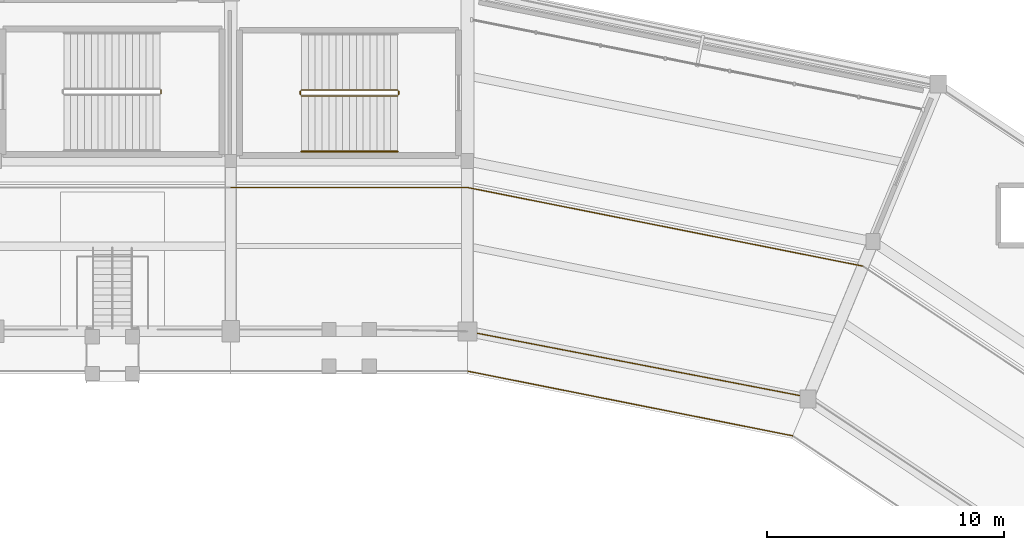
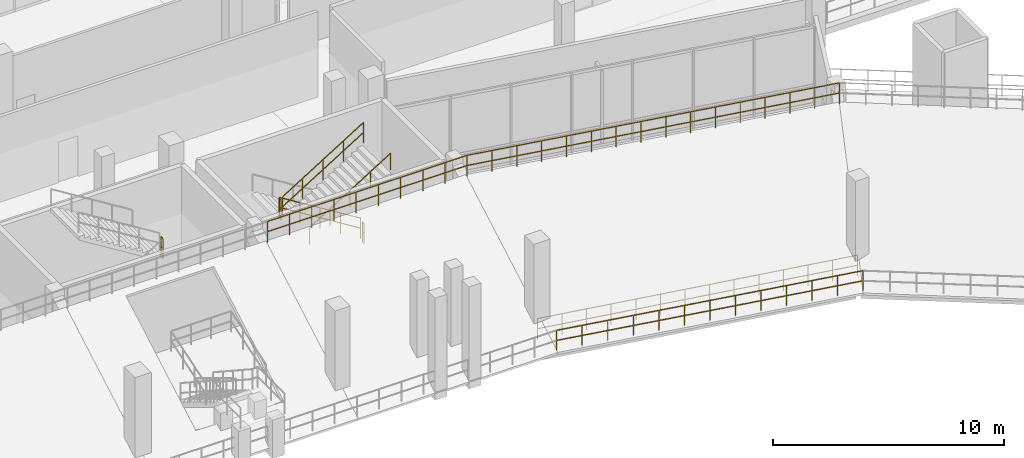
# One storey, part 125 of 127: 10 railings.
"""IFC4 building model written with IfcOpenShell, lengths in metres."""

import ifcopenshell
import ifcopenshell.guid

model = None  # the IFC model being written
_history = None  # IfcOwnerHistory: only IFC2X3 demands one
_inside = {}  # id of a spatial element -> (the spatial element, [elements in it])
_under = {}  # id of a project, library or spatial element -> (it, [spatial elements below it])
_declared = {}  # id of a project -> (the project, [libraries it declares])
_typed = {}  # id of a type object -> (the type object, [elements of that type])
_made_of = {}  # id of a material, layer set ... -> (it, [elements and type objects made of it])


def new_model(schema):
    """Start an empty IFC model of exactly this schema.

    Asked for "IFC4X3", IfcOpenShell would pick the latest addendum, in which some entities
    have other attributes; the version numbers below select the first issue.
    IFC2X3 requires an IfcOwnerHistory on every rooted entity: one is made here for all.
    """
    global model, _history
    if schema == "IFC4X3":
        model = ifcopenshell.file(schema_version=(4, 3, 0, 0))
    else:
        model = ifcopenshell.file(schema=schema)
    _inside.clear()
    _under.clear()
    _declared.clear()
    _typed.clear()
    _made_of.clear()
    _history = None
    if model.schema == "IFC2X3":
        org = make("IfcOrganization", Name="unknown")
        user = make(
            "IfcPersonAndOrganization",
            ThePerson=make("IfcPerson", FamilyName="unknown"),
            TheOrganization=org,
        )
        app = make(
            "IfcApplication",
            ApplicationDeveloper=org,
            Version="unknown",
            ApplicationFullName="unknown",
            ApplicationIdentifier="unknown",
        )
        _history = make(
            "IfcOwnerHistory",
            OwningUser=user,
            OwningApplication=app,
            ChangeAction="ADDED",
            CreationDate=0,
        )
    return model


def make(cls, **values):
    """One entity of the class cls with the attributes given. An attribute that is None is left unset."""
    return model.create_entity(
        cls, **{name: value for name, value in values.items() if value is not None}
    )


def rooted(cls, **values):
    """An entity with a GlobalId (a new one), such as an element, a storey or a relation."""
    return make(cls, GlobalId=ifcopenshell.guid.new(), OwnerHistory=_history, **values)


def si_unit(unit_type, name, prefix=None):
    """IfcSIUnit, for example si_unit("LENGTHUNIT", "METRE", prefix="MILLI")."""
    return make("IfcSIUnit", UnitType=unit_type, Prefix=prefix, Name=name)


def assignment(units):
    """IfcUnitAssignment: the units of a project."""
    return None if units is None else make("IfcUnitAssignment", Units=units)


def point(xyz):
    """IfcCartesianPoint."""
    return None if xyz is None else make("IfcCartesianPoint", Coordinates=xyz)


def direction(xyz):
    """IfcDirection."""
    return None if xyz is None else make("IfcDirection", DirectionRatios=xyz)


def frame(location, z_axis=None, x_axis=None):
    """IfcAxis2Placement3D, a coordinate frame: its origin and axes. An axis left out is left unset."""
    return make(
        "IfcAxis2Placement3D",
        Location=point(location),
        Axis=direction(z_axis),
        RefDirection=direction(x_axis),
    )


def frame_2d(location, x_axis=None):
    """IfcAxis2Placement2D, a coordinate frame in the plane: its origin and x axis."""
    return make(
        "IfcAxis2Placement2D", Location=point(location), RefDirection=direction(x_axis)
    )


def origin():
    """The frame at (0, 0, 0) with its axes left unset."""
    return frame((0.0, 0.0, 0.0))


def origin_2d():
    """The frame at (0, 0) in the plane with its x axis left unset."""
    return frame_2d((0.0, 0.0))


def place(relative_to, where):
    """IfcLocalPlacement: puts the frame where relative to a parent placement (None: the world)."""
    return make(
        "IfcLocalPlacement", PlacementRelTo=relative_to, RelativePlacement=where
    )


def context(
    kind, dimensions, precision=None, world=None, true_north=None, identifier=None
):
    """IfcGeometricRepresentationContext, for example the 3D "Model" context."""
    return make(
        "IfcGeometricRepresentationContext",
        ContextIdentifier=identifier,
        ContextType=kind,
        CoordinateSpaceDimension=dimensions,
        Precision=precision,
        WorldCoordinateSystem=world,
        TrueNorth=true_north,
    )


def subcontext(parent, identifier, kind, view, scale=None):
    """IfcGeometricRepresentationSubContext, for example "Body" below "Model"."""
    return make(
        "IfcGeometricRepresentationSubContext",
        ContextIdentifier=identifier,
        ContextType=kind,
        ParentContext=parent,
        TargetScale=scale,
        TargetView=view,
    )


def project(units=None, contexts=None):
    """IfcProject with its units and contexts."""
    return rooted(
        "IfcProject",
        Name="project",
        RepresentationContexts=contexts,
        UnitsInContext=assignment(units),
    )


def spatial(cls, under=None, at=None, **own):
    """A site, building, storey or space (cls), placed at a placement, below another one or the project."""
    s = rooted(cls, ObjectPlacement=at, **own)
    if under is not None:
        _under.setdefault(under.id(), (under, []))[1].append(s)
    return s


def profile(cls, at=None, kind="AREA", **sizes):
    """A parametric profile (cls). Its sizes go by their IFC names, for example OverallWidth=200.0."""
    return make(cls, ProfileType=kind, Position=at, **sizes)


def circle(**sizes):
    """IfcCircleProfileDef."""
    return profile("IfcCircleProfileDef", **sizes)


def extrude(swept, where, along, depth):
    """IfcExtrudedAreaSolid: the profile swept, set in the frame where, extruded along a direction by depth."""
    return make(
        "IfcExtrudedAreaSolid",
        SweptArea=swept,
        Position=where,
        ExtrudedDirection=direction(along),
        Depth=depth,
    )


def shape(context_of_items, identifier, shape_type, items):
    """IfcShapeRepresentation: the items that make up one representation, for example the "Body"."""
    return make(
        "IfcShapeRepresentation",
        ContextOfItems=context_of_items,
        RepresentationIdentifier=identifier,
        RepresentationType=shape_type,
        Items=items,
    )


def material(Name=None, Category=None):
    """IfcMaterial."""
    return make("IfcMaterial", Name=Name, Category=Category)


def layer(
    of_material, thickness, ventilated=None, Name=None, Category=None, Priority=None
):
    """IfcMaterialLayer: one layer of a wall or slab, of a material (None: an air gap)."""
    return make(
        "IfcMaterialLayer",
        Material=of_material,
        LayerThickness=thickness,
        IsVentilated=ventilated,
        Name=Name,
        Category=Category,
        Priority=Priority,
    )


def layer_set(layers, Name=None):
    """IfcMaterialLayerSet."""
    return make("IfcMaterialLayerSet", MaterialLayers=layers, LayerSetName=Name)


def made_of(thing, what):
    """Note that an element or type object is made of a material, layer set ...; save() writes the relation."""
    if what is not None:
        _made_of.setdefault(what.id(), (what, []))[1].append(thing)
    return thing


def type_object(cls, material=None, **own):
    """A type object (cls), such as IfcWallType, which elements share."""
    return made_of(rooted(cls, **own), material)


def element(
    cls,
    number,
    at=None,
    inside=None,
    cuts=None,
    type_object=None,
    material=None,
    context=None,
    identifier="Body",
    shape_type=None,
    held_by="IfcProductDefinitionShape",
    body=None,
    shapes=None,
    **own,
):
    """One element of the class cls, such as IfcWall. Its Tag is "e" and its number.

    at: its placement. inside: the storey or other place that contains it. cuts: it is an
    opening in that element (IfcRelVoidsElement). A single representation is given by context,
    identifier, shape_type and body (its items); several are given by shapes. held_by: the class
    of the entity that holds the representations. save() writes the other relations.
    """
    e = rooted(cls, Tag="e%d" % number, ObjectPlacement=at, **own)
    if body is not None:
        shapes = [shape(context, identifier, shape_type, body)]
    if shapes is not None:
        e.Representation = make(held_by, Representations=shapes)
    if inside is not None:
        _inside.setdefault(inside.id(), (inside, []))[1].append(e)
    if cuts is not None:
        rooted(
            "IfcRelVoidsElement", RelatingBuildingElement=cuts, RelatedOpeningElement=e
        )
    if type_object is not None:
        _typed.setdefault(type_object.id(), (type_object, []))[1].append(e)
    return made_of(e, material)


def aggregate(whole, parts):
    """IfcRelAggregates: a whole, such as a stair, and the parts it consists of."""
    return rooted("IfcRelAggregates", RelatingObject=whole, RelatedObjects=parts)


def save(model, path):
    """Write the relations noted so far, then the file.

    IfcRelAggregates (storeys below a building ...), IfcRelContainedInSpatialStructure (elements
    in a storey), IfcRelDefinesByType, IfcRelAssociatesMaterial and IfcRelDeclares: one each for
    every whole, place, type object, material and project.
    """
    for whole, parts in _under.values():
        aggregate(whole, parts)
    for where, things in _inside.values():
        rooted(
            "IfcRelContainedInSpatialStructure",
            RelatedElements=things,
            RelatingStructure=where,
        )
    for kind, things in _typed.values():
        rooted("IfcRelDefinesByType", RelatedObjects=things, RelatingType=kind)
    for what, things in _made_of.values():
        rooted("IfcRelAssociatesMaterial", RelatedObjects=things, RelatingMaterial=what)
    for by, libraries in _declared.values():
        rooted("IfcRelDeclares", RelatingContext=by, RelatedDefinitions=libraries)
    model.write(path)


model = new_model("IFC4")

# Units and contexts
model_context = context("Model", 3, precision=1e-05, world=origin(), true_north=direction((0.0, 1.0)))
body_context = subcontext(model_context, "Body", "Model", "MODEL_VIEW")
ifc_project = project(units=[si_unit("LENGTHUNIT", "METRE"), si_unit("AREAUNIT", "SQUARE_METRE"), si_unit("VOLUMEUNIT", "CUBIC_METRE"), si_unit("PLANEANGLEUNIT", "RADIAN"), si_unit("MASSUNIT", "GRAM", prefix="KILO")], contexts=[model_context])

# Site, building, storey
site_placement = place(None, origin())
site = spatial("IfcSite", under=ifc_project, at=site_placement, CompositionType="ELEMENT")
building_placement = place(site_placement, origin())
building = spatial("IfcBuilding", under=site, at=building_placement, Name="Candeia Ridge Stadium", CompositionType="ELEMENT")
storey_placement = place(building_placement, frame((0.0, 0.0, 10.800048828125)))
storey = spatial("IfcBuildingStorey", under=building, at=storey_placement, Name="L02", CompositionType="ELEMENT", Elevation=10.800048828125)

# Railings
ifc_material_1 = material(Name="Galvanized Powder-Coated Steel", Category="steel")
ifc_layer_1 = layer(ifc_material_1, 0.074951171875, Name="Galvanized Powder-Coated Steel", Category="steel")
ifc_layer_set_1 = layer_set([ifc_layer_1], Name="Galvanized Powder-Coated Steel")
railing_type_1 = type_object("IfcRailingType", Name="Spectator Bowl Front Guardrail 1120", PredefinedType="GUARDRAIL", material=ifc_layer_set_1)
railing_1_placement = place(storey_placement, frame((141.0, 138.679931640625, 4.949951171875)))
element("IfcRailing", 1, at=railing_1_placement, inside=storey, type_object=railing_type_1, Name="Stand T2 rear safety guardrail bay 01", PredefinedType="GUARDRAIL", context=body_context, shape_type="SweptSolid", body=[
    extrude(circle(Radius=0.02392578125, at=origin_2d()), frame((0.0, 0.0, 1.09619140625), z_axis=(-1.0, 0.0, 0.0), x_axis=(0.0, -1.0, 0.0)), (0.0, 0.0, 1.0), 10.0),
    extrude(circle(Radius=0.02392578125, at=origin_2d()), frame((0.0, 0.0, 0.56005859375), z_axis=(-1.0, 0.0, 0.0), x_axis=(0.0, -1.0, 0.0)), (0.0, 0.0, 1.0), 10.0),
    extrude(circle(Radius=0.02099609375, at=origin_2d()), origin(), (0.0, 0.0, 1.0), 1.072021484375),
    extrude(circle(Radius=0.02099609375, at=origin_2d()), frame((-1.111083984375, 0.0, 0.0)), (0.0, 0.0, 1.0), 1.072021484375),
    extrude(circle(Radius=0.02099609375, at=origin_2d()), frame((-2.22216796875, 0.0, 0.0)), (0.0, 0.0, 1.0), 1.072021484375),
    extrude(circle(Radius=0.02099609375, at=origin_2d()), frame((-3.333251953125, 0.0, 0.0)), (0.0, 0.0, 1.0), 1.072021484375),
    extrude(circle(Radius=0.02099609375, at=origin_2d()), frame((-4.4443359375, 0.0, 0.0)), (0.0, 0.0, 1.0), 1.072021484375),
    extrude(circle(Radius=0.02099609375, at=origin_2d()), frame((-5.5556640625, 0.0, 0.0)), (0.0, 0.0, 1.0), 1.072021484375),
    extrude(circle(Radius=0.02099609375, at=origin_2d()), frame((-6.666748046875, 0.0, 0.0)), (0.0, 0.0, 1.0), 1.072021484375),
    extrude(circle(Radius=0.02099609375, at=origin_2d()), frame((-7.77783203125, 0.0, 0.0)), (0.0, 0.0, 1.0), 1.072021484375),
    extrude(circle(Radius=0.02099609375, at=origin_2d()), frame((-8.888916015625, 0.0, 0.0)), (0.0, 0.0, 1.0), 1.072021484375),
    extrude(circle(Radius=0.02099609375, at=origin_2d()), frame((-10.0, 0.0, 0.0)), (0.0, 0.0, 1.0), 1.072021484375),
])
railing_2_placement = place(storey_placement, frame((154.74609375, 128.185791015625, 0.39990234375)))
element("IfcRailing", 2, at=railing_2_placement, inside=storey, type_object=railing_type_1, Name="Stand T2 front safety guardrail bay 36", PredefinedType="GUARDRAIL", context=body_context, shape_type="SweptSolid", body=[
    extrude(circle(Radius=0.02392578125, at=origin_2d()), frame((0.0, 0.0, 1.09619140625), z_axis=(-0.980787153323, 0.195080905976, 0.0), x_axis=(-0.195080905976, -0.980787153323, 0.0)), (0.0, 0.0, 1.0), 14.015380859375),
    extrude(circle(Radius=0.02392578125, at=origin_2d()), frame((0.0, 0.0, 0.56005859375), z_axis=(-0.980787153323, 0.195080905976, 0.0), x_axis=(-0.195080905976, -0.980787153323, 0.0)), (0.0, 0.0, 1.0), 14.015380859375),
    extrude(circle(Radius=0.02099609375, at=origin_2d()), origin(), (0.0, 0.0, 1.0), 1.072021484375),
    extrude(circle(Radius=0.02099609375, at=origin_2d()), frame((-1.1455078125, 0.227783203125, 0.0)), (0.0, 0.0, 1.0), 1.072021484375),
    extrude(circle(Radius=0.02099609375, at=origin_2d()), frame((-2.291015625, 0.45556640625, 0.0)), (0.0, 0.0, 1.0), 1.072021484375),
    extrude(circle(Radius=0.02099609375, at=origin_2d()), frame((-3.4365234375, 0.68359375, 0.0)), (0.0, 0.0, 1.0), 1.072021484375),
    extrude(circle(Radius=0.02099609375, at=origin_2d()), frame((-4.58203125, 0.911376953125, 0.0)), (0.0, 0.0, 1.0), 1.072021484375),
    extrude(circle(Radius=0.02099609375, at=origin_2d()), frame((-5.7275390625, 1.13916015625, 0.0)), (0.0, 0.0, 1.0), 1.072021484375),
    extrude(circle(Radius=0.02099609375, at=origin_2d()), frame((-6.873046875, 1.3671875, 0.0)), (0.0, 0.0, 1.0), 1.072021484375),
    extrude(circle(Radius=0.02099609375, at=origin_2d()), frame((-8.0185546875, 1.594970703125, 0.0)), (0.0, 0.0, 1.0), 1.072021484375),
    extrude(circle(Radius=0.02099609375, at=origin_2d()), frame((-9.1640625, 1.82275390625, 0.0)), (0.0, 0.0, 1.0), 1.072021484375),
    extrude(circle(Radius=0.02099609375, at=origin_2d()), frame((-10.3095703125, 2.050537109375, 0.0)), (0.0, 0.0, 1.0), 1.072021484375),
    extrude(circle(Radius=0.02099609375, at=origin_2d()), frame((-11.455078125, 2.2783203125, 0.0)), (0.0, 0.0, 1.0), 1.072021484375),
    extrude(circle(Radius=0.02099609375, at=origin_2d()), frame((-12.6005859375, 2.50634765625, 0.0)), (0.0, 0.0, 1.0), 1.072021484375),
    extrude(circle(Radius=0.02099609375, at=origin_2d()), frame((-13.74609375, 2.734130859375, 0.0)), (0.0, 0.0, 1.0), 1.072021484375),
])
railing_3_placement = place(storey_placement, frame((157.715576171875, 135.35498046875, 4.949951171875)))
element("IfcRailing", 3, at=railing_3_placement, inside=storey, type_object=railing_type_1, Name="Stand T2 rear safety guardrail bay 36", PredefinedType="GUARDRAIL", context=body_context, shape_type="SweptSolid", body=[
    extrude(circle(Radius=0.02392578125, at=origin_2d()), frame((0.0, 0.0, 1.09619140625), z_axis=(-0.980785096916, 0.195091244467, 0.0), x_axis=(-0.195091244467, -0.980785096916, 0.0)), (0.0, 0.0, 1.0), 17.04296875),
    extrude(circle(Radius=0.02392578125, at=origin_2d()), frame((0.0, 0.0, 0.56005859375), z_axis=(-0.980785096916, 0.195091244467, 0.0), x_axis=(-0.195091244467, -0.980785096916, 0.0)), (0.0, 0.0, 1.0), 17.04296875),
    extrude(circle(Radius=0.02099609375, at=origin_2d()), origin(), (0.0, 0.0, 1.0), 1.072021484375),
    extrude(circle(Radius=0.02099609375, at=origin_2d()), frame((-1.1142578125, 0.2216796875, 0.0)), (0.0, 0.0, 1.0), 1.072021484375),
    extrude(circle(Radius=0.02099609375, at=origin_2d()), frame((-2.228759765625, 0.443359375, 0.0)), (0.0, 0.0, 1.0), 1.072021484375),
    extrude(circle(Radius=0.02099609375, at=origin_2d()), frame((-3.343017578125, 0.6650390625, 0.0)), (0.0, 0.0, 1.0), 1.072021484375),
    extrude(circle(Radius=0.02099609375, at=origin_2d()), frame((-4.45751953125, 0.88671875, 0.0)), (0.0, 0.0, 1.0), 1.072021484375),
    extrude(circle(Radius=0.02099609375, at=origin_2d()), frame((-5.57177734375, 1.1083984375, 0.0)), (0.0, 0.0, 1.0), 1.072021484375),
    extrude(circle(Radius=0.02099609375, at=origin_2d()), frame((-6.686279296875, 1.330078125, 0.0)), (0.0, 0.0, 1.0), 1.072021484375),
    extrude(circle(Radius=0.02099609375, at=origin_2d()), frame((-7.800537109375, 1.5517578125, 0.0)), (0.0, 0.0, 1.0), 1.072021484375),
    extrude(circle(Radius=0.02099609375, at=origin_2d()), frame((-8.9150390625, 1.773193359375, 0.0)), (0.0, 0.0, 1.0), 1.072021484375),
    extrude(circle(Radius=0.02099609375, at=origin_2d()), frame((-10.029296875, 1.994873046875, 0.0)), (0.0, 0.0, 1.0), 1.072021484375),
    extrude(circle(Radius=0.02099609375, at=origin_2d()), frame((-11.143798828125, 2.216552734375, 0.0)), (0.0, 0.0, 1.0), 1.072021484375),
    extrude(circle(Radius=0.02099609375, at=origin_2d()), frame((-12.258056640625, 2.438232421875, 0.0)), (0.0, 0.0, 1.0), 1.072021484375),
    extrude(circle(Radius=0.02099609375, at=origin_2d()), frame((-13.37255859375, 2.659912109375, 0.0)), (0.0, 0.0, 1.0), 1.072021484375),
    extrude(circle(Radius=0.02099609375, at=origin_2d()), frame((-14.48681640625, 2.881591796875, 0.0)), (0.0, 0.0, 1.0), 1.072021484375),
    extrude(circle(Radius=0.02099609375, at=origin_2d()), frame((-15.601318359375, 3.103271484375, 0.0)), (0.0, 0.0, 1.0), 1.072021484375),
    extrude(circle(Radius=0.02099609375, at=origin_2d()), frame((-16.715576171875, 3.324951171875, 0.0)), (0.0, 0.0, 1.0), 1.072021484375),
])
railing_4_placement = place(storey_placement, frame((155.404541015625, 129.81640625, 0.0)))
element("IfcRailing", 4, at=railing_4_placement, inside=storey, type_object=railing_type_1, Name="Deck edge safety guardrail GR-DE-L02-0099", PredefinedType="GUARDRAIL", context=body_context, shape_type="SweptSolid", body=[
    extrude(circle(Radius=0.02392578125, at=origin_2d()), frame((0.0, 0.0, 1.09619140625), z_axis=(-0.981834289828, 0.189740420885, 0.0), x_axis=(-0.189740420885, -0.981834289828, 0.0)), (0.0, 0.0, 1.0), 14.671142578125),
    extrude(circle(Radius=0.02392578125, at=origin_2d()), frame((0.0, 0.0, 0.56005859375), z_axis=(-0.981834289828, 0.189740420885, 0.0), x_axis=(-0.189740420885, -0.981834289828, 0.0)), (0.0, 0.0, 1.0), 14.671142578125),
    extrude(circle(Radius=0.02099609375, at=origin_2d()), origin(), (0.0, 0.0, 1.0), 1.072021484375),
    extrude(circle(Radius=0.02099609375, at=origin_2d()), frame((-1.108154296875, 0.214111328125, 0.0)), (0.0, 0.0, 1.0), 1.072021484375),
    extrude(circle(Radius=0.02099609375, at=origin_2d()), frame((-2.216064453125, 0.42822265625, 0.0)), (0.0, 0.0, 1.0), 1.072021484375),
    extrude(circle(Radius=0.02099609375, at=origin_2d()), frame((-3.32421875, 0.642333984375, 0.0)), (0.0, 0.0, 1.0), 1.072021484375),
    extrude(circle(Radius=0.02099609375, at=origin_2d()), frame((-4.43212890625, 0.8564453125, 0.0)), (0.0, 0.0, 1.0), 1.072021484375),
    extrude(circle(Radius=0.02099609375, at=origin_2d()), frame((-5.540283203125, 1.070556640625, 0.0)), (0.0, 0.0, 1.0), 1.072021484375),
    extrude(circle(Radius=0.02099609375, at=origin_2d()), frame((-6.648193359375, 1.28466796875, 0.0)), (0.0, 0.0, 1.0), 1.072021484375),
    extrude(circle(Radius=0.02099609375, at=origin_2d()), frame((-7.75634765625, 1.4990234375, 0.0)), (0.0, 0.0, 1.0), 1.072021484375),
    extrude(circle(Radius=0.02099609375, at=origin_2d()), frame((-8.8642578125, 1.713134765625, 0.0)), (0.0, 0.0, 1.0), 1.072021484375),
    extrude(circle(Radius=0.02099609375, at=origin_2d()), frame((-9.972412109375, 1.92724609375, 0.0)), (0.0, 0.0, 1.0), 1.072021484375),
    extrude(circle(Radius=0.02099609375, at=origin_2d()), frame((-11.080322265625, 2.141357421875, 0.0)), (0.0, 0.0, 1.0), 1.072021484375),
    extrude(circle(Radius=0.02099609375, at=origin_2d()), frame((-12.1884765625, 2.35546875, 0.0)), (0.0, 0.0, 1.0), 1.072021484375),
    extrude(circle(Radius=0.02099609375, at=origin_2d()), frame((-13.29638671875, 2.569580078125, 0.0)), (0.0, 0.0, 1.0), 1.072021484375),
    extrude(circle(Radius=0.02099609375, at=origin_2d()), frame((-14.404541015625, 2.78369140625, 0.0)), (0.0, 0.0, 1.0), 1.072021484375),
])
ifc_material_2 = material(Name="Brushed Stainless Steel", Category="steel")
ifc_layer_2 = layer(ifc_material_2, 0.048095703125, Name="Brushed Stainless Steel", Category="steel")
ifc_layer_set_2 = layer_set([ifc_layer_2], Name="Brushed Stainless Steel")
railing_type_2 = type_object("IfcRailingType", Name="Stair Wall & Flight Handrail 900", PredefinedType="HANDRAIL", material=ifc_layer_set_2)
railing_5_placement = place(storey_placement, frame((133.989990234375, 140.199951171875, 2.8798828125)))
element("IfcRailing", 5, at=railing_5_placement, inside=storey, type_object=railing_type_2, Name="L02 ST04 stair handrail 2", PredefinedType="HANDRAIL", context=body_context, shape_type="SweptSolid", body=[
    extrude(circle(Radius=0.02392578125, at=origin_2d()), frame((0.0, 0.0, 0.8759765625), z_axis=(0.849641744969, 0.0, 0.527360318194), x_axis=(0.0, 1.0, 0.0)), (0.0, 0.0, 1.0), 4.778564453125),
    extrude(circle(Radius=0.02099609375, at=origin_2d()), origin(), (0.0, 0.0, 1.0), 0.851806640625),
    extrude(circle(Radius=0.02099609375, at=origin_2d()), frame((1.01513671875, 0.0, 0.6298828125)), (0.0, 0.0, 1.0), 0.851806640625),
    extrude(circle(Radius=0.02099609375, at=origin_2d()), frame((2.030029296875, 0.0, 1.260009765625)), (0.0, 0.0, 1.0), 0.851806640625),
    extrude(circle(Radius=0.02099609375, at=origin_2d()), frame((3.044921875, 0.0, 1.89013671875)), (0.0, 0.0, 1.0), 0.851806640625),
    extrude(circle(Radius=0.02099609375, at=origin_2d()), frame((4.06005859375, 0.0, 2.52001953125)), (0.0, 0.0, 1.0), 0.851806640625),
])
ifc_layer_3 = layer(ifc_material_1, 0.06005859375, Name="Galvanized Powder-Coated Steel", Category="steel")
ifc_layer_set_3 = layer_set([ifc_layer_3], Name="Galvanized Powder-Coated Steel")
railing_type_3 = type_object("IfcRailingType", Name="Stair Well Guardrail 1100", PredefinedType="GUARDRAIL", material=ifc_layer_set_3)
railing_6_placement = place(storey_placement, frame((138.050048828125, 142.800048828125, 0.179931640625)))
element("IfcRailing", 6, at=railing_6_placement, inside=storey, type_object=railing_type_3, Name="L02 ST04 stair guard 1", PredefinedType="GUARDRAIL", context=body_context, shape_type="SweptSolid", body=[
    extrude(circle(Radius=0.02392578125, at=origin_2d()), frame((0.0, 0.0, 1.076171875), z_axis=(-0.849641744969, 0.0, 0.527360318194), x_axis=(0.0, -1.0, 0.0)), (0.0, 0.0, 1.0), 4.778564453125),
    extrude(circle(Radius=0.02392578125, at=origin_2d()), frame((0.0, 0.0, 0.550048828125), z_axis=(-0.849641744969, 0.0, 0.527360318194), x_axis=(0.0, -1.0, 0.0)), (0.0, 0.0, 1.0), 4.778564453125),
    extrude(circle(Radius=0.02099609375, at=origin_2d()), origin(), (0.0, 0.0, 1.0), 1.052001953125),
    extrude(circle(Radius=0.02099609375, at=origin_2d()), frame((-1.01513671875, 0.0, 0.6298828125)), (0.0, 0.0, 1.0), 1.052001953125),
    extrude(circle(Radius=0.02099609375, at=origin_2d()), frame((-2.030029296875, 0.0, 1.260009765625)), (0.0, 0.0, 1.0), 1.052001953125),
    extrude(circle(Radius=0.02099609375, at=origin_2d()), frame((-3.044921875, 0.0, 1.89013671875)), (0.0, 0.0, 1.0), 1.052001953125),
    extrude(circle(Radius=0.02099609375, at=origin_2d()), frame((-4.06005859375, 0.0, 2.52001953125)), (0.0, 0.0, 1.0), 1.052001953125),
])
railing_7_placement = place(storey_placement, frame((133.93994140625, 142.75, 2.699951171875)))
element("IfcRailing", 7, at=railing_7_placement, inside=storey, type_object=railing_type_3, Name="L02 ST04 stair guard 2", PredefinedType="GUARDRAIL", context=body_context, shape_type="SweptSolid", body=[
    extrude(circle(Radius=0.02392578125, at=origin_2d()), frame((0.0, 0.0, 1.076171875), z_axis=(0.0, -1.0, 0.0), x_axis=(1.0, 0.0, 0.0)), (0.0, 0.0, 1.0), 0.14990234375),
    extrude(circle(Radius=0.02392578125, at=origin_2d()), frame((0.0, 0.0, 0.550048828125), z_axis=(0.0, -1.0, 0.0), x_axis=(1.0, 0.0, 0.0)), (0.0, 0.0, 1.0), 0.14990234375),
    extrude(circle(Radius=0.02099609375, at=origin_2d()), origin(), (0.0, 0.0, 1.0), 1.052001953125),
    extrude(circle(Radius=0.02099609375, at=origin_2d()), frame((0.0, -0.14990234375, 0.0)), (0.0, 0.0, 1.0), 1.052001953125),
])
railing_8_placement = place(storey_placement, frame((133.989990234375, 142.550048828125, 2.8798828125)))
element("IfcRailing", 8, at=railing_8_placement, inside=storey, type_object=railing_type_3, Name="L02 ST04 stair guard 3", PredefinedType="GUARDRAIL", context=body_context, shape_type="SweptSolid", body=[
    extrude(circle(Radius=0.02392578125, at=origin_2d()), frame((0.0, 0.0, 1.076171875), z_axis=(0.849641744969, 0.0, 0.527360318194), x_axis=(0.0, 1.0, 0.0)), (0.0, 0.0, 1.0), 4.778564453125),
    extrude(circle(Radius=0.02392578125, at=origin_2d()), frame((0.0, 0.0, 0.550048828125), z_axis=(0.849641744969, 0.0, 0.527360318194), x_axis=(0.0, 1.0, 0.0)), (0.0, 0.0, 1.0), 4.778564453125),
    extrude(circle(Radius=0.02099609375, at=origin_2d()), origin(), (0.0, 0.0, 1.0), 1.052001953125),
    extrude(circle(Radius=0.02099609375, at=origin_2d()), frame((1.01513671875, 0.0, 0.6298828125)), (0.0, 0.0, 1.0), 1.052001953125),
    extrude(circle(Radius=0.02099609375, at=origin_2d()), frame((2.030029296875, 0.0, 1.260009765625)), (0.0, 0.0, 1.0), 1.052001953125),
    extrude(circle(Radius=0.02099609375, at=origin_2d()), frame((3.044921875, 0.0, 1.89013671875)), (0.0, 0.0, 1.0), 1.052001953125),
    extrude(circle(Radius=0.02099609375, at=origin_2d()), frame((4.06005859375, 0.0, 2.52001953125)), (0.0, 0.0, 1.0), 1.052001953125),
])
railing_9_placement = place(storey_placement, frame((138.10009765625, 142.75, 0.0)))
element("IfcRailing", 9, at=railing_9_placement, inside=storey, type_object=railing_type_3, Name="L02 ST04 stair guard 4", PredefinedType="GUARDRAIL", context=body_context, shape_type="SweptSolid", body=[
    extrude(circle(Radius=0.02392578125, at=origin_2d()), frame((0.0, 0.0, 1.076171875), z_axis=(0.0, -1.0, 0.0), x_axis=(1.0, 0.0, 0.0)), (0.0, 0.0, 1.0), 0.14990234375),
    extrude(circle(Radius=0.02392578125, at=origin_2d()), frame((0.0, 0.0, 0.550048828125), z_axis=(0.0, -1.0, 0.0), x_axis=(1.0, 0.0, 0.0)), (0.0, 0.0, 1.0), 0.14990234375),
    extrude(circle(Radius=0.02099609375, at=origin_2d()), origin(), (0.0, 0.0, 1.0), 1.052001953125),
    extrude(circle(Radius=0.02099609375, at=origin_2d()), frame((0.0, -0.14990234375, 0.0)), (0.0, 0.0, 1.0), 1.052001953125),
])
railing_10_placement = place(storey_placement, frame((128.06005859375, 142.64990234375, 2.699951171875)))
element("IfcRailing", 10, at=railing_10_placement, inside=storey, type_object=railing_type_3, Name="L02 ST10 stair guard 2", PredefinedType="GUARDRAIL", context=body_context, shape_type="SweptSolid", body=[
    extrude(circle(Radius=0.02392578125, at=origin_2d()), frame((0.0, 0.0, 1.076171875), z_axis=(0.0, 1.0, 0.0), x_axis=(-1.0, 0.0, 0.0)), (0.0, 0.0, 1.0), 0.150146484375),
    extrude(circle(Radius=0.02392578125, at=origin_2d()), frame((0.0, 0.0, 0.550048828125), z_axis=(0.0, 1.0, 0.0), x_axis=(-1.0, 0.0, 0.0)), (0.0, 0.0, 1.0), 0.150146484375),
    extrude(circle(Radius=0.02099609375, at=origin_2d()), origin(), (0.0, 0.0, 1.0), 1.052001953125),
    extrude(circle(Radius=0.02099609375, at=origin_2d()), frame((0.0, 0.150146484375, 0.0)), (0.0, 0.0, 1.0), 1.052001953125),
])

save(model, "model.ifc")
